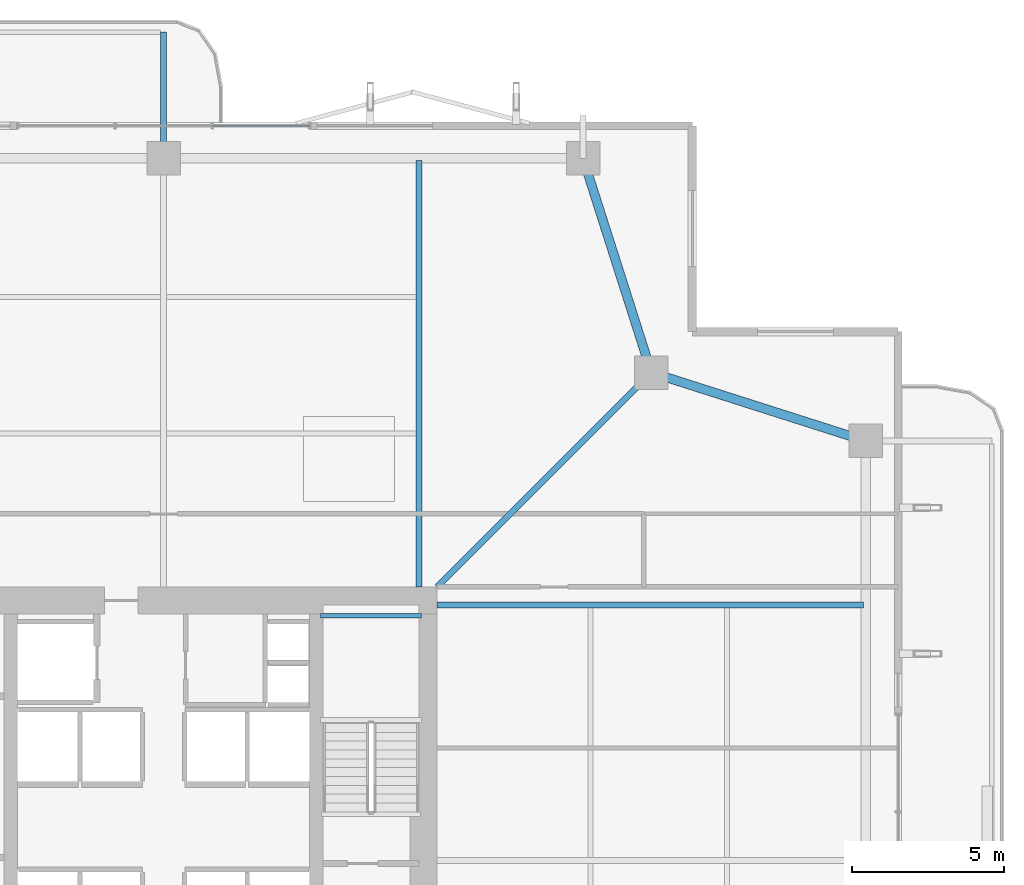
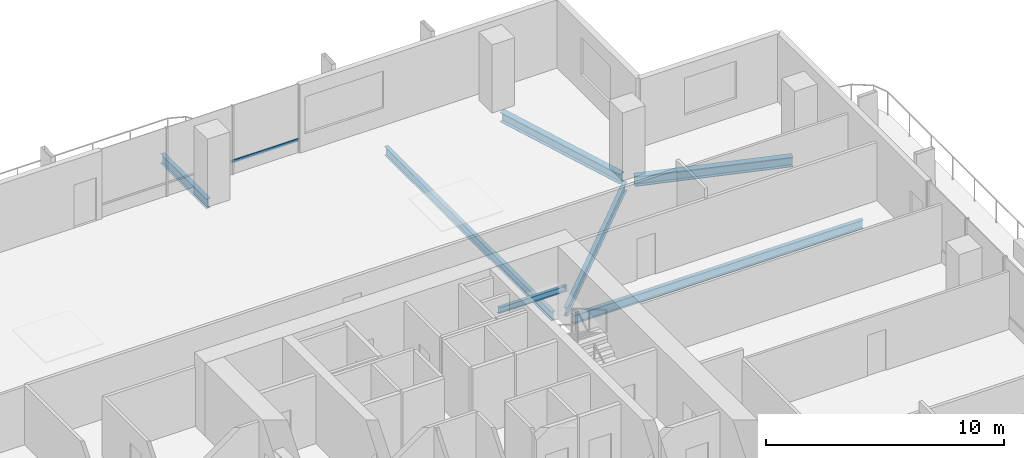
# One storey, part 14 of 24: 7 beams, 1 member, 1 element without a shape of its own.
"""IFC4 building model written with IfcOpenShell, lengths in metres."""

from ifc_helpers import new_model, si_unit, direction, frame, origin, origin_2d, place, context, subcontext, project, spatial, hollow_rectangle, i_section, extrude, material, layer, layer_set, material_profile, profile_set, type_object, element, aggregate, save


model = new_model("IFC4")

# Units and contexts
model_context = context("Model", 3, precision=1e-05, world=origin(), true_north=direction((0.0, 1.0)))
body_context = subcontext(model_context, "Body", "Model", "MODEL_VIEW")
ifc_project = project(units=[si_unit("LENGTHUNIT", "METRE"), si_unit("AREAUNIT", "SQUARE_METRE"), si_unit("VOLUMEUNIT", "CUBIC_METRE"), si_unit("PLANEANGLEUNIT", "RADIAN"), si_unit("MASSUNIT", "GRAM", prefix="KILO")], contexts=[model_context])

# Site, building, storey
site_placement = place(None, origin())
site = spatial("IfcSite", under=ifc_project, at=site_placement, CompositionType="ELEMENT")
building_placement = place(site_placement, origin())
building = spatial("IfcBuilding", under=site, at=building_placement, Name="Belovzor Exchange Tower", CompositionType="ELEMENT")
storey_placement = place(building_placement, frame((0.0, 0.0, 179.550048828125)))
storey = spatial("IfcBuildingStorey", under=building, at=storey_placement, Name="L44", CompositionType="ELEMENT", Elevation=179.550048828125)

# Beams
ifc_material_1 = material(Name="Steel S355", Category="steel")
ifc_material_profile_1 = material_profile(ifc_material_1, i_section(OverallWidth=0.199951171875, OverallDepth=0.5, WebThickness=0.01025390625, FlangeThickness=0.01611328125, at=origin_2d()))
ifc_profile_set_1 = profile_set([ifc_material_profile_1], Name="Steel S355")
beam_type_1 = type_object("IfcBeamType", Name="Planted Balcony Cantilever Beam IPE 500", PredefinedType="BEAM", material=ifc_profile_set_1)
beam_1_placement = place(storey_placement, frame((28.800048828125, 52.202880859375, -0.505126953125), z_axis=(0.0, 1.0, 0.0), x_axis=(-1.0, 0.0, 0.0)))
element("IfcBeam", 1, at=beam_1_placement, inside=storey, type_object=beam_type_1, Name="BC-500 Planted Balcony Cantilever Beam IPE 500", PredefinedType="BEAM", context=body_context, shape_type="SweptSolid", body=[
    extrude(i_section(OverallWidth=0.199951171875, OverallDepth=0.5, WebThickness=0.01025390625, FlangeThickness=0.01611328125, at=origin_2d()), origin(), (0.0, 0.0, 1.0), 3.85009765625),
])
ifc_material_2 = material(Name="Steel S355", Category="steel")
ifc_material_profile_2 = material_profile(ifc_material_2, i_section(OverallWidth=0.14990234375, OverallDepth=0.300048828125, WebThickness=0.007080078125, FlangeThickness=0.0107421875, at=origin_2d()))
ifc_profile_set_2 = profile_set([ifc_material_profile_2], Name="Steel S355")
beam_type_2 = type_object("IfcBeamType", Name="Secondary Trim Floor Joist IPE 300", PredefinedType="BEAM", material=ifc_profile_set_2)
beam_2_placement = place(storey_placement, frame((37.280029296875, 36.85009765625, 1.52490234375), z_axis=(-1.0, 0.0, 0.0), x_axis=(0.0, -1.0, 0.0)))
element("IfcBeam", 2, at=beam_2_placement, inside=storey, type_object=beam_type_2, Name="FJ-300 Secondary Trim Floor Joist IPE 300", PredefinedType="BEAM", context=body_context, shape_type="SweptSolid", body=[
    extrude(i_section(OverallWidth=0.14990234375, OverallDepth=0.300048828125, WebThickness=0.007080078125, FlangeThickness=0.0107421875, at=origin_2d()), origin(), (0.0, 0.0, 1.0), 3.31005859375),
])

# Curtain wall, member
ifc_material_3 = material(Name="Anodised Aluminium Framing", Category="aluminium")
ifc_layer = layer(ifc_material_3, 0.179931640625)
ifc_layer_set = layer_set([ifc_layer], Name="Anodised Aluminium Framing")
curtain_wall_type = type_object("IfcCurtainWallType", Name="Recessed Loggia Low-Iron Triple-Glazed Curtain Wall", PredefinedType="NOTDEFINED", material=ifc_layer_set)
curtain_wall_placement = place(storey_placement, origin())
curtain_wall = element("IfcCurtainWall", 3, at=curtain_wall_placement, inside=storey, type_object=curtain_wall_type, Name="CW3 Recessed Loggia Low-Iron Triple-Glazed Curtain Wall L44", PredefinedType="NOTDEFINED")
ifc_material_4 = material(Name="Steel S355", Category="steel")
ifc_material_profile_3 = material_profile(ifc_material_4, hollow_rectangle(XDim=0.06005859375, YDim=0.14990234375, WallThickness=0.00390625, at=origin_2d()))
ifc_profile_set_3 = profile_set([ifc_material_profile_3], Name="Steel S355")
member_type = type_object("IfcMemberType", Name="Thermally Broken Curtain Wall Transom 150x60", PredefinedType="USERDEFINED", material=ifc_profile_set_3)
member_placement = place(storey_placement, frame((30.407958984375, 52.969970703125, 0.62890625), z_axis=(1.0, 0.0, 0.0), x_axis=(0.0, 1.0, 0.0)))
member = element("IfcMember", 4, at=member_placement, type_object=member_type, Name="CW-T150 Curtain Wall Transom 3", ObjectType="TRANSOM", PredefinedType="USERDEFINED", context=body_context, shape_type="SweptSolid", body=[
    extrude(hollow_rectangle(XDim=0.06005859375, YDim=0.14990234375, WallThickness=0.00390625, at=origin_2d()), origin(), (0.0, 0.0, 1.0), 3.18408203125),
])
aggregate(curtain_wall, [member])

# Beams
ifc_material_5 = material(Name="Steel S355", Category="steel")
ifc_material_profile_4 = material_profile(ifc_material_5, i_section(OverallWidth=0.18994140625, OverallDepth=0.449951171875, WebThickness=0.009521484375, FlangeThickness=0.0146484375, at=origin_2d()))
ifc_profile_set_4 = profile_set([ifc_material_profile_4], Name="Steel S355")
beam_type_3 = type_object("IfcBeamType", Name="Zone 2-4 Radial Composite Floor Beam IPE 450", PredefinedType="BEAM", material=ifc_profile_set_4)
for number, where, z_axis, x_axis, name in (
    (5, (37.199951171875, 37.800048828125, -0.47998046875), (0.0, 1.0, 0.0), (-1.0, 0.0, 0.0), "FB-450 Zone 2-4 Radial Composite Floor Beam IPE 450"),
    (6, (37.800048828125, 37.199951171875, -0.47998046875), (1.0, 0.0, 0.0), (0.0, 1.0, 0.0), "FB-450 Zone 2-4 Radial Composite Floor Beam IPE 450"),
):
    element("IfcBeam", number, at=place(storey_placement, frame(where, z_axis=z_axis, x_axis=x_axis)), inside=storey, type_object=beam_type_3, Name=name, PredefinedType="BEAM", context=body_context, shape_type="SweptSolid", body=[
        extrude(i_section(OverallWidth=0.18994140625, OverallDepth=0.449951171875, WebThickness=0.009521484375, FlangeThickness=0.0146484375, at=origin_2d()), origin(), (0.0, 0.0, 1.0), 14.02490234375),
    ])
beam_3_placement = place(storey_placement, frame((37.800048828125, 37.800048828125, -0.47998046875), z_axis=(0.707106781187, 0.707106781187, 0.0), x_axis=(-0.707106781187, 0.707106781187, 0.0)))
element("IfcBeam", 7, at=beam_3_placement, inside=storey, type_object=beam_type_3, Name="FB-450 Zone 2-4 Radial Composite Floor Beam IPE 450", PredefinedType="BEAM", context=body_context, shape_type="SweptSolid", body=[
    extrude(i_section(OverallWidth=0.18994140625, OverallDepth=0.449951171875, WebThickness=0.009521484375, FlangeThickness=0.0146484375, at=origin_2d()), origin(), (0.0, 0.0, 1.0), 9.5810546875),
])
ifc_material_6 = material(Name="Steel S355", Category="steel")
ifc_material_profile_5 = material_profile(ifc_material_6, i_section(OverallWidth=0.300048828125, OverallDepth=0.5, WebThickness=0.014404296875, FlangeThickness=0.028076171875, at=origin_2d()))
ifc_profile_set_5 = profile_set([ifc_material_profile_5], Name="Steel S355")
beam_type_4 = type_object("IfcBeamType", Name="Zone 3 Waist Primary Girder HEB 500", PredefinedType="BEAM", material=ifc_profile_set_5)
for number, where, z_axis, x_axis, name in (
    (8, (51.612060546875, 42.69189453125, -0.505126953125), (-0.952661203756, 0.304033930439, 0.0), (-0.304033930439, -0.952661203756, 0.0), "FG-Z3 Zone 3 Waist Primary Girder HEB 500"),
    (9, (44.758056640625, 45.137939453125, -0.505126953125), (-0.304033930439, 0.952661203756, 0.0), (-0.952661203756, -0.304033930439, 0.0), "FG-Z3 Zone 3 Waist Primary Girder HEB 500"),
):
    element("IfcBeam", number, at=place(storey_placement, frame(where, z_axis=z_axis, x_axis=x_axis)), inside=storey, type_object=beam_type_4, Name=name, PredefinedType="BEAM", context=body_context, shape_type="SweptSolid", body=[
        extrude(i_section(OverallWidth=0.300048828125, OverallDepth=0.5, WebThickness=0.014404296875, FlangeThickness=0.028076171875, at=origin_2d()), origin(), (0.0, 0.0, 1.0), 6.7958984375),
    ])

save(model, "model.ifc")
